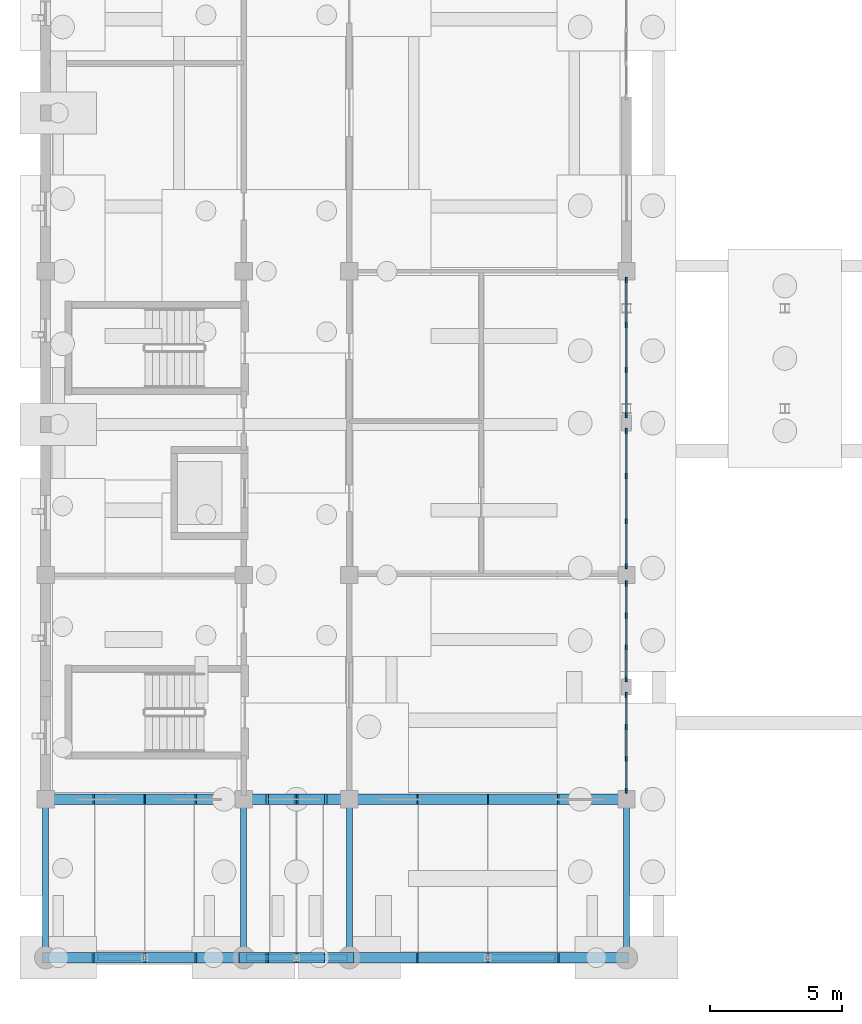
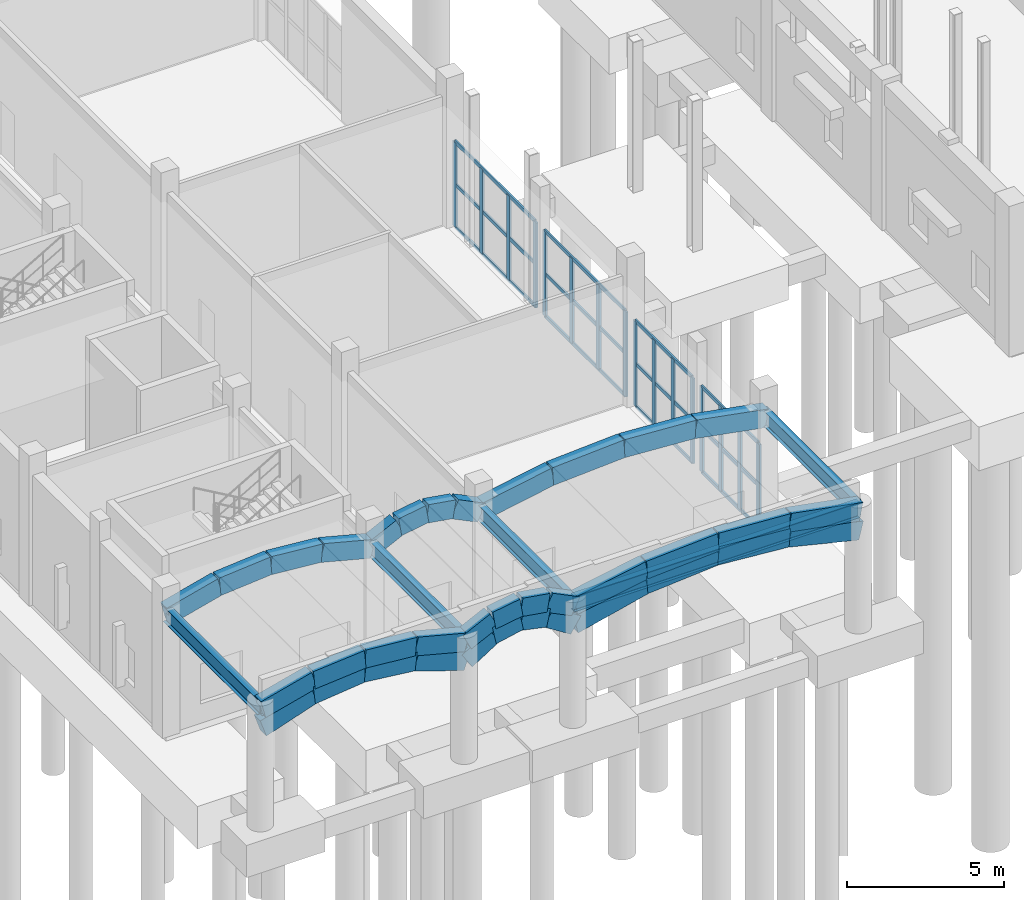
# One storey, part 14 of 60: 64 members, 7 beams, 4 elements without a shape of their own.
"""IFC4 building model written with IfcOpenShell, lengths in metres."""

from ifc_helpers import new_model, si_unit, direction, frame, origin, origin_2d, place, context, subcontext, project, spatial, rectangle, i_section, extrude, material, layer, layer_set, material_profile, profile_set, type_object, element, aggregate, save


model = new_model("IFC4")

# Units and contexts
model_context = context("Model", 3, precision=1e-05, world=origin(), true_north=direction((0.0, 1.0)))
body_context = subcontext(model_context, "Body", "Model", "MODEL_VIEW")
ifc_project = project(units=[si_unit("LENGTHUNIT", "METRE"), si_unit("AREAUNIT", "SQUARE_METRE"), si_unit("VOLUMEUNIT", "CUBIC_METRE"), si_unit("PLANEANGLEUNIT", "RADIAN"), si_unit("MASSUNIT", "GRAM", prefix="KILO")], contexts=[model_context])

# Site, building, storey
site_placement = place(None, origin())
site = spatial("IfcSite", under=ifc_project, at=site_placement, CompositionType="ELEMENT")
building_placement = place(site_placement, origin())
building = spatial("IfcBuilding", under=site, at=building_placement, Name="Trellovar Central Fire Station", CompositionType="ELEMENT")
storey_placement = place(building_placement, origin())
storey = spatial("IfcBuildingStorey", under=building, at=storey_placement, Name="L01", CompositionType="ELEMENT", Elevation=0.0)

# Beams
ifc_material_1 = material(Name="Steel ASTM A992 Grade 50", Category="steel")
ifc_material_profile_1 = material_profile(ifc_material_1, i_section(OverallWidth=0.22900390625, OverallDepth=0.612060546875, WebThickness=0.011962890625, FlangeThickness=0.01953125, FilletRadius=0.01513671875, at=origin_2d()), Name="W24X84")
ifc_profile_set_1 = profile_set([ifc_material_profile_1], Name="Steel ASTM A992 Grade 50")
beam_type_1 = type_object("IfcBeamType", Name="BM-SW5", PredefinedType="BEAM", material=ifc_profile_set_1)
beam_1_placement = place(storey_placement, frame((1.0, 3.0, 4.593994140625), z_axis=(1.0, 0.0, 0.0), x_axis=(0.0, 1.0, 0.0)))
element("IfcBeam", 1, at=beam_1_placement, inside=storey, type_object=beam_type_1, Name="West boulevard arcade edge girder 1", PredefinedType="BEAM", context=body_context, shape_type="SweptSolid", body=[
    extrude(i_section(OverallWidth=0.22900390625, OverallDepth=0.612060546875, WebThickness=0.011962890625, FlangeThickness=0.01953125, FilletRadius=0.01513671875, at=origin_2d()), origin(), (0.0, 0.0, 1.0), 7.5),
])
beam_2_placement = place(storey_placement, frame((8.5, 3.0, 4.593994140625), z_axis=(1.0, 0.0, 0.0), x_axis=(0.0, 1.0, 0.0)))
element("IfcBeam", 2, at=beam_2_placement, inside=storey, type_object=beam_type_1, Name="West boulevard arcade edge girder 2", PredefinedType="BEAM", context=body_context, shape_type="SweptSolid", body=[
    extrude(i_section(OverallWidth=0.22900390625, OverallDepth=0.612060546875, WebThickness=0.011962890625, FlangeThickness=0.01953125, FilletRadius=0.01513671875, at=origin_2d()), origin(), (0.0, 0.0, 1.0), 4.0),
])
beam_3_placement = place(storey_placement, frame((12.5, 3.0, 4.593994140625), z_axis=(1.0, 0.0, 0.0), x_axis=(0.0, 1.0, 0.0)))
element("IfcBeam", 3, at=beam_3_placement, inside=storey, type_object=beam_type_1, Name="West boulevard arcade edge girder 3", PredefinedType="BEAM", context=body_context, shape_type="SweptSolid", body=[
    extrude(i_section(OverallWidth=0.22900390625, OverallDepth=0.612060546875, WebThickness=0.011962890625, FlangeThickness=0.01953125, FilletRadius=0.01513671875, at=origin_2d()), origin(), (0.0, 0.0, 1.0), 10.5),
])
ifc_material_2 = material(Name="Steel ASTM A992 Grade 50", Category="steel")
ifc_material_profile_2 = material_profile(ifc_material_2, i_section(OverallWidth=0.227783203125, OverallDepth=0.60205078125, WebThickness=0.010498046875, FlangeThickness=0.014892578125, FilletRadius=0.01513671875, at=origin_2d()), Name="W24X68")
ifc_profile_set_2 = profile_set([ifc_material_profile_2], Name="Steel ASTM A992 Grade 50")
beam_type_2 = type_object("IfcBeamType", Name="BM-SW6", PredefinedType="BEAM", material=ifc_profile_set_2)
for number, where, z_axis, x_axis, name in (
    (4, (1.0, 3.0, 4.59912109375), (0.0, 1.0, 0.0), (-1.0, 0.0, 0.0), "West arcade transverse tie X=1.0"),
    (5, (8.5, 3.0, 4.59912109375), (0.0, 1.0, 0.0), (-1.0, 0.0, 0.0), "West arcade transverse tie X=8.5"),
    (6, (12.5, 3.0, 4.59912109375), (0.0, 1.0, 0.0), (-1.0, 0.0, 0.0), "West arcade transverse tie X=12.5"),
    (7, (23.0, 3.0, 4.59912109375), (0.0, 1.0, 0.0), (-1.0, 0.0, 0.0), "West arcade transverse tie X=23.0"),
):
    element("IfcBeam", number, at=place(storey_placement, frame(where, z_axis=z_axis, x_axis=x_axis)), inside=storey, type_object=beam_type_2, Name=name, PredefinedType="BEAM", context=body_context, shape_type="SweptSolid", body=[
        extrude(i_section(OverallWidth=0.227783203125, OverallDepth=0.60205078125, WebThickness=0.010498046875, FlangeThickness=0.014892578125, FilletRadius=0.01513671875, at=origin_2d()), origin(), (0.0, 0.0, 1.0), 6.0),
    ])

# Curtain wall, members
ifc_material_3 = material(Name="Thermally broken bronze anodized aluminum", Category="aluminium")
ifc_layer = layer(ifc_material_3, 0.159912109375)
ifc_layer_set = layer_set([ifc_layer], Name="Thermally broken bronze anodized aluminum")
curtain_wall_type = type_object("IfcCurtainWallType", Name="CW-03", PredefinedType="NOTDEFINED", material=ifc_layer_set)
curtain_wall_1_placement = place(storey_placement, origin())
curtain_wall_1 = element("IfcCurtainWall", 8, at=curtain_wall_1_placement, inside=storey, type_object=curtain_wall_type, Name="L01 curtain wall CW-3", PredefinedType="NOTDEFINED")
ifc_material_4 = material(Name="Thermally broken bronze anodized aluminum", Category="aluminium")
ifc_material_profile_3 = material_profile(ifc_material_4, rectangle(XDim=0.074951171875, YDim=0.199951171875, at=origin_2d()), Name="ALU75X200")
ifc_profile_set_3 = profile_set([ifc_material_profile_3], Name="Thermally broken bronze anodized aluminum")
member_type_1 = type_object("IfcMemberType", Name="CWM-1", PredefinedType="MULLION", material=ifc_profile_set_3)
member_1_placement = place(storey_placement, frame((23.0, 9.324951171875, 0.0), z_axis=(0.0, 0.0, 1.0), x_axis=(1.0, 0.0, 0.0)))
member_1 = element("IfcMember", 9, at=member_1_placement, type_object=member_type_1, Name="CW3-L01-0027 mullion 1", PredefinedType="MULLION", context=body_context, shape_type="SweptSolid", body=[
    extrude(rectangle(XDim=0.074951171875, YDim=0.199951171875, at=origin_2d()), origin(), (0.0, 0.0, 1.0), 3.300048828125),
])
member_2_placement = place(storey_placement, frame((23.0, 10.533203125, 0.0), z_axis=(0.0, 0.0, 1.0), x_axis=(1.0, 0.0, 0.0)))
member_2 = element("IfcMember", 10, at=member_2_placement, type_object=member_type_1, Name="CW3-L01-0027 mullion 2", PredefinedType="MULLION", context=body_context, shape_type="SweptSolid", body=[
    extrude(rectangle(XDim=0.074951171875, YDim=0.199951171875, at=origin_2d()), origin(), (0.0, 0.0, 1.0), 3.300048828125),
])
member_3_placement = place(storey_placement, frame((23.0, 11.74169921875, 0.0), z_axis=(0.0, 0.0, 1.0), x_axis=(1.0, 0.0, 0.0)))
member_3 = element("IfcMember", 11, at=member_3_placement, type_object=member_type_1, Name="CW3-L01-0027 mullion 3", PredefinedType="MULLION", context=body_context, shape_type="SweptSolid", body=[
    extrude(rectangle(XDim=0.074951171875, YDim=0.199951171875, at=origin_2d()), origin(), (0.0, 0.0, 1.0), 3.300048828125),
])
member_4_placement = place(storey_placement, frame((23.0, 12.949951171875, 0.0), z_axis=(0.0, 0.0, 1.0), x_axis=(1.0, 0.0, 0.0)))
member_4 = element("IfcMember", 12, at=member_4_placement, type_object=member_type_1, Name="CW3-L01-0027 mullion 4", PredefinedType="MULLION", context=body_context, shape_type="SweptSolid", body=[
    extrude(rectangle(XDim=0.074951171875, YDim=0.199951171875, at=origin_2d()), origin(), (0.0, 0.0, 1.0), 3.300048828125),
])

curtain_wall_2_placement = place(storey_placement, origin())
curtain_wall_2 = element("IfcCurtainWall", 13, at=curtain_wall_2_placement, inside=storey, type_object=curtain_wall_type, Name="L01 curtain wall CW-3", PredefinedType="NOTDEFINED")
member_5_placement = place(storey_placement, frame((23.0, 13.550048828125, 0.0), z_axis=(0.0, 0.0, 1.0), x_axis=(1.0, 0.0, 0.0)))
member_5 = element("IfcMember", 14, at=member_5_placement, type_object=member_type_1, Name="CW3-L01-0028 mullion 1", PredefinedType="MULLION", context=body_context, shape_type="SweptSolid", body=[
    extrude(rectangle(XDim=0.074951171875, YDim=0.199951171875, at=origin_2d()), origin(), (0.0, 0.0, 1.0), 3.300048828125),
])
member_6_placement = place(storey_placement, frame((23.0, 14.75830078125, 0.0), z_axis=(0.0, 0.0, 1.0), x_axis=(1.0, 0.0, 0.0)))
member_6 = element("IfcMember", 15, at=member_6_placement, type_object=member_type_1, Name="CW3-L01-0028 mullion 2", PredefinedType="MULLION", context=body_context, shape_type="SweptSolid", body=[
    extrude(rectangle(XDim=0.074951171875, YDim=0.199951171875, at=origin_2d()), origin(), (0.0, 0.0, 1.0), 3.300048828125),
])
member_7_placement = place(storey_placement, frame((23.0, 15.966796875, 0.0), z_axis=(0.0, 0.0, 1.0), x_axis=(1.0, 0.0, 0.0)))
member_7 = element("IfcMember", 16, at=member_7_placement, type_object=member_type_1, Name="CW3-L01-0028 mullion 3", PredefinedType="MULLION", context=body_context, shape_type="SweptSolid", body=[
    extrude(rectangle(XDim=0.074951171875, YDim=0.199951171875, at=origin_2d()), origin(), (0.0, 0.0, 1.0), 3.300048828125),
])
member_8_placement = place(storey_placement, frame((23.0, 17.175048828125, 0.0), z_axis=(0.0, 0.0, 1.0), x_axis=(1.0, 0.0, 0.0)))
member_8 = element("IfcMember", 17, at=member_8_placement, type_object=member_type_1, Name="CW3-L01-0028 mullion 4", PredefinedType="MULLION", context=body_context, shape_type="SweptSolid", body=[
    extrude(rectangle(XDim=0.074951171875, YDim=0.199951171875, at=origin_2d()), origin(), (0.0, 0.0, 1.0), 3.300048828125),
])

curtain_wall_3_placement = place(storey_placement, origin())
curtain_wall_3 = element("IfcCurtainWall", 18, at=curtain_wall_3_placement, inside=storey, type_object=curtain_wall_type, Name="L01 curtain wall CW-3", PredefinedType="NOTDEFINED")
member_9_placement = place(storey_placement, frame((23.0, 17.824951171875, 0.0), z_axis=(0.0, 0.0, 1.0), x_axis=(1.0, 0.0, 0.0)))
member_9 = element("IfcMember", 19, at=member_9_placement, type_object=member_type_1, Name="CW3-L01-0029 mullion 1", PredefinedType="MULLION", context=body_context, shape_type="SweptSolid", body=[
    extrude(rectangle(XDim=0.074951171875, YDim=0.199951171875, at=origin_2d()), origin(), (0.0, 0.0, 1.0), 3.300048828125),
])
member_10_placement = place(storey_placement, frame((23.0, 19.533203125, 0.0), z_axis=(0.0, 0.0, 1.0), x_axis=(1.0, 0.0, 0.0)))
member_10 = element("IfcMember", 20, at=member_10_placement, type_object=member_type_1, Name="CW3-L01-0029 mullion 2", PredefinedType="MULLION", context=body_context, shape_type="SweptSolid", body=[
    extrude(rectangle(XDim=0.074951171875, YDim=0.199951171875, at=origin_2d()), origin(), (0.0, 0.0, 1.0), 3.300048828125),
])
member_11_placement = place(storey_placement, frame((23.0, 21.24169921875, 0.0), z_axis=(0.0, 0.0, 1.0), x_axis=(1.0, 0.0, 0.0)))
member_11 = element("IfcMember", 21, at=member_11_placement, type_object=member_type_1, Name="CW3-L01-0029 mullion 3", PredefinedType="MULLION", context=body_context, shape_type="SweptSolid", body=[
    extrude(rectangle(XDim=0.074951171875, YDim=0.199951171875, at=origin_2d()), origin(), (0.0, 0.0, 1.0), 3.300048828125),
])
member_12_placement = place(storey_placement, frame((23.0, 22.949951171875, 0.0), z_axis=(0.0, 0.0, 1.0), x_axis=(1.0, 0.0, 0.0)))
member_12 = element("IfcMember", 22, at=member_12_placement, type_object=member_type_1, Name="CW3-L01-0029 mullion 4", PredefinedType="MULLION", context=body_context, shape_type="SweptSolid", body=[
    extrude(rectangle(XDim=0.074951171875, YDim=0.199951171875, at=origin_2d()), origin(), (0.0, 0.0, 1.0), 3.300048828125),
])

curtain_wall_4_placement = place(storey_placement, origin())
curtain_wall_4 = element("IfcCurtainWall", 23, at=curtain_wall_4_placement, inside=storey, type_object=curtain_wall_type, Name="L01 curtain wall CW-3", PredefinedType="NOTDEFINED")
member_13_placement = place(storey_placement, frame((23.0, 23.550048828125, 0.0), z_axis=(0.0, 0.0, 1.0), x_axis=(1.0, 0.0, 0.0)))
member_13 = element("IfcMember", 24, at=member_13_placement, type_object=member_type_1, Name="CW3-L01-0030 mullion 1", PredefinedType="MULLION", context=body_context, shape_type="SweptSolid", body=[
    extrude(rectangle(XDim=0.074951171875, YDim=0.199951171875, at=origin_2d()), origin(), (0.0, 0.0, 1.0), 3.300048828125),
])
member_14_placement = place(storey_placement, frame((23.0, 25.25830078125, 0.0), z_axis=(0.0, 0.0, 1.0), x_axis=(1.0, 0.0, 0.0)))
member_14 = element("IfcMember", 25, at=member_14_placement, type_object=member_type_1, Name="CW3-L01-0030 mullion 2", PredefinedType="MULLION", context=body_context, shape_type="SweptSolid", body=[
    extrude(rectangle(XDim=0.074951171875, YDim=0.199951171875, at=origin_2d()), origin(), (0.0, 0.0, 1.0), 3.300048828125),
])
member_15_placement = place(storey_placement, frame((23.0, 26.966796875, 0.0), z_axis=(0.0, 0.0, 1.0), x_axis=(1.0, 0.0, 0.0)))
member_15 = element("IfcMember", 26, at=member_15_placement, type_object=member_type_1, Name="CW3-L01-0030 mullion 3", PredefinedType="MULLION", context=body_context, shape_type="SweptSolid", body=[
    extrude(rectangle(XDim=0.074951171875, YDim=0.199951171875, at=origin_2d()), origin(), (0.0, 0.0, 1.0), 3.300048828125),
])
member_16_placement = place(storey_placement, frame((23.0, 28.675048828125, 0.0), z_axis=(0.0, 0.0, 1.0), x_axis=(1.0, 0.0, 0.0)))
member_16 = element("IfcMember", 27, at=member_16_placement, type_object=member_type_1, Name="CW3-L01-0030 mullion 4", PredefinedType="MULLION", context=body_context, shape_type="SweptSolid", body=[
    extrude(rectangle(XDim=0.074951171875, YDim=0.199951171875, at=origin_2d()), origin(), (0.0, 0.0, 1.0), 3.300048828125),
])

# Member
ifc_material_5 = material(Name="Thermally broken bronze anodized aluminum", Category="aluminium")
ifc_material_profile_4 = material_profile(ifc_material_5, rectangle(XDim=0.06005859375, YDim=0.139892578125, at=origin_2d()), Name="ALU60X140")
ifc_profile_set_4 = profile_set([ifc_material_profile_4], Name="Thermally broken bronze anodized aluminum")
member_type_2 = type_object("IfcMemberType", Name="CWT-1", PredefinedType="USERDEFINED", material=ifc_profile_set_4)
member_17_placement = place(storey_placement, frame((23.0, 9.324951171875, 0.0), z_axis=(0.0, 1.0, 0.0), x_axis=(-1.0, 0.0, 0.0)))
member_17 = element("IfcMember", 28, at=member_17_placement, type_object=member_type_2, Name="CW3-L01-0027 transom 1", ObjectType="TRANSOM", PredefinedType="USERDEFINED", context=body_context, shape_type="SweptSolid", body=[
    extrude(rectangle(XDim=0.06005859375, YDim=0.139892578125, at=origin_2d()), origin(), (0.0, 0.0, 1.0), 3.625),
])

member_18_placement = place(storey_placement, frame((23.0, 9.324951171875, 1.64990234375), z_axis=(0.0, 1.0, 0.0), x_axis=(-1.0, 0.0, 0.0)))
member_18 = element("IfcMember", 29, at=member_18_placement, type_object=member_type_2, Name="CW3-L01-0027 transom 2", ObjectType="TRANSOM", PredefinedType="USERDEFINED", context=body_context, shape_type="SweptSolid", body=[
    extrude(rectangle(XDim=0.06005859375, YDim=0.139892578125, at=origin_2d()), origin(), (0.0, 0.0, 1.0), 3.625),
])

member_19_placement = place(storey_placement, frame((23.0, 9.324951171875, 3.300048828125), z_axis=(0.0, 1.0, 0.0), x_axis=(-1.0, 0.0, 0.0)))
member_19 = element("IfcMember", 30, at=member_19_placement, type_object=member_type_2, Name="CW3-L01-0027 transom 3", ObjectType="TRANSOM", PredefinedType="USERDEFINED", context=body_context, shape_type="SweptSolid", body=[
    extrude(rectangle(XDim=0.06005859375, YDim=0.139892578125, at=origin_2d()), origin(), (0.0, 0.0, 1.0), 3.625),
])

aggregate(curtain_wall_1, [member_1, member_2, member_3, member_4, member_17, member_18, member_19])

member_20_placement = place(storey_placement, frame((23.0, 13.550048828125, 0.0), z_axis=(0.0, 1.0, 0.0), x_axis=(-1.0, 0.0, 0.0)))
member_20 = element("IfcMember", 31, at=member_20_placement, type_object=member_type_2, Name="CW3-L01-0028 transom 1", ObjectType="TRANSOM", PredefinedType="USERDEFINED", context=body_context, shape_type="SweptSolid", body=[
    extrude(rectangle(XDim=0.06005859375, YDim=0.139892578125, at=origin_2d()), origin(), (0.0, 0.0, 1.0), 3.625),
])

member_21_placement = place(storey_placement, frame((23.0, 13.550048828125, 1.64990234375), z_axis=(0.0, 1.0, 0.0), x_axis=(-1.0, 0.0, 0.0)))
member_21 = element("IfcMember", 32, at=member_21_placement, type_object=member_type_2, Name="CW3-L01-0028 transom 2", ObjectType="TRANSOM", PredefinedType="USERDEFINED", context=body_context, shape_type="SweptSolid", body=[
    extrude(rectangle(XDim=0.06005859375, YDim=0.139892578125, at=origin_2d()), origin(), (0.0, 0.0, 1.0), 3.625),
])

member_22_placement = place(storey_placement, frame((23.0, 13.550048828125, 3.300048828125), z_axis=(0.0, 1.0, 0.0), x_axis=(-1.0, 0.0, 0.0)))
member_22 = element("IfcMember", 33, at=member_22_placement, type_object=member_type_2, Name="CW3-L01-0028 transom 3", ObjectType="TRANSOM", PredefinedType="USERDEFINED", context=body_context, shape_type="SweptSolid", body=[
    extrude(rectangle(XDim=0.06005859375, YDim=0.139892578125, at=origin_2d()), origin(), (0.0, 0.0, 1.0), 3.625),
])

aggregate(curtain_wall_2, [member_5, member_6, member_7, member_8, member_20, member_21, member_22])

member_23_placement = place(storey_placement, frame((23.0, 17.824951171875, 0.0), z_axis=(0.0, 1.0, 0.0), x_axis=(-1.0, 0.0, 0.0)))
member_23 = element("IfcMember", 34, at=member_23_placement, type_object=member_type_2, Name="CW3-L01-0029 transom 1", ObjectType="TRANSOM", PredefinedType="USERDEFINED", context=body_context, shape_type="SweptSolid", body=[
    extrude(rectangle(XDim=0.06005859375, YDim=0.139892578125, at=origin_2d()), origin(), (0.0, 0.0, 1.0), 5.125),
])

member_24_placement = place(storey_placement, frame((23.0, 17.824951171875, 1.64990234375), z_axis=(0.0, 1.0, 0.0), x_axis=(-1.0, 0.0, 0.0)))
member_24 = element("IfcMember", 35, at=member_24_placement, type_object=member_type_2, Name="CW3-L01-0029 transom 2", ObjectType="TRANSOM", PredefinedType="USERDEFINED", context=body_context, shape_type="SweptSolid", body=[
    extrude(rectangle(XDim=0.06005859375, YDim=0.139892578125, at=origin_2d()), origin(), (0.0, 0.0, 1.0), 5.125),
])

member_25_placement = place(storey_placement, frame((23.0, 17.824951171875, 3.300048828125), z_axis=(0.0, 1.0, 0.0), x_axis=(-1.0, 0.0, 0.0)))
member_25 = element("IfcMember", 36, at=member_25_placement, type_object=member_type_2, Name="CW3-L01-0029 transom 3", ObjectType="TRANSOM", PredefinedType="USERDEFINED", context=body_context, shape_type="SweptSolid", body=[
    extrude(rectangle(XDim=0.06005859375, YDim=0.139892578125, at=origin_2d()), origin(), (0.0, 0.0, 1.0), 5.125),
])

aggregate(curtain_wall_3, [member_9, member_10, member_11, member_12, member_23, member_24, member_25])

member_26_placement = place(storey_placement, frame((23.0, 23.550048828125, 0.0), z_axis=(0.0, 1.0, 0.0), x_axis=(-1.0, 0.0, 0.0)))
member_26 = element("IfcMember", 37, at=member_26_placement, type_object=member_type_2, Name="CW3-L01-0030 transom 1", ObjectType="TRANSOM", PredefinedType="USERDEFINED", context=body_context, shape_type="SweptSolid", body=[
    extrude(rectangle(XDim=0.06005859375, YDim=0.139892578125, at=origin_2d()), origin(), (0.0, 0.0, 1.0), 5.125),
])

member_27_placement = place(storey_placement, frame((23.0, 23.550048828125, 1.64990234375), z_axis=(0.0, 1.0, 0.0), x_axis=(-1.0, 0.0, 0.0)))
member_27 = element("IfcMember", 38, at=member_27_placement, type_object=member_type_2, Name="CW3-L01-0030 transom 2", ObjectType="TRANSOM", PredefinedType="USERDEFINED", context=body_context, shape_type="SweptSolid", body=[
    extrude(rectangle(XDim=0.06005859375, YDim=0.139892578125, at=origin_2d()), origin(), (0.0, 0.0, 1.0), 5.125),
])

member_28_placement = place(storey_placement, frame((23.0, 23.550048828125, 3.300048828125), z_axis=(0.0, 1.0, 0.0), x_axis=(-1.0, 0.0, 0.0)))
member_28 = element("IfcMember", 39, at=member_28_placement, type_object=member_type_2, Name="CW3-L01-0030 transom 3", ObjectType="TRANSOM", PredefinedType="USERDEFINED", context=body_context, shape_type="SweptSolid", body=[
    extrude(rectangle(XDim=0.06005859375, YDim=0.139892578125, at=origin_2d()), origin(), (0.0, 0.0, 1.0), 5.125),
])

aggregate(curtain_wall_4, [member_13, member_14, member_15, member_16, member_26, member_27, member_28])

# Members
ifc_material_6 = material(Name="Concrete C40/50", Category="concrete")
ifc_material_profile_5 = material_profile(ifc_material_6, rectangle(XDim=0.39990234375, YDim=0.699951171875, at=origin_2d()), Name="RC400X700")
ifc_profile_set_5 = profile_set([ifc_material_profile_5], Name="Concrete C40/50")
member_type_3 = type_object("IfcMemberType", Name="MEM-LR1", PredefinedType="CHORD", material=ifc_profile_set_5)
member_29_placement = place(storey_placement, frame((1.0, 3.0, 3.85009765625), z_axis=(0.946780258859, 0.0, 0.321880632276), x_axis=(0.0, 1.0, 0.0)))
element("IfcMember", 40, at=member_29_placement, inside=storey, type_object=member_type_3, Name="West boulevard parabolic arcade arch 1 seg 1", PredefinedType="CHORD", context=body_context, shape_type="SweptSolid", body=[
    extrude(rectangle(XDim=0.39990234375, YDim=0.699951171875, at=origin_2d()), origin(), (0.0, 0.0, 1.0), 1.98046875),
])
for number, where, z_axis, x_axis, name in (
    (41, (2.875, 3.0, 4.487548828125), (0.993644779902, 0.0, 0.112561322723), (0.0, 1.0, 0.0), "West boulevard parabolic arcade arch 1 seg 2"),
    (42, (4.75, 3.0, 4.699951171875), (0.993644779902, 0.0, -0.112561322723), (0.0, 1.0, 0.0), "West boulevard parabolic arcade arch 1 seg 3"),
):
    element("IfcMember", number, at=place(storey_placement, frame(where, z_axis=z_axis, x_axis=x_axis)), inside=storey, type_object=member_type_3, Name=name, PredefinedType="CHORD", context=body_context, shape_type="SweptSolid", body=[
        extrude(rectangle(XDim=0.39990234375, YDim=0.699951171875, at=origin_2d()), origin(), (0.0, 0.0, 1.0), 1.886962890625),
    ])
member_30_placement = place(storey_placement, frame((6.625, 3.0, 4.487548828125), z_axis=(0.946780258859, 0.0, -0.321880632276), x_axis=(0.0, 1.0, 0.0)))
element("IfcMember", 43, at=member_30_placement, inside=storey, type_object=member_type_3, Name="West boulevard parabolic arcade arch 1 seg 4", PredefinedType="CHORD", context=body_context, shape_type="SweptSolid", body=[
    extrude(rectangle(XDim=0.39990234375, YDim=0.699951171875, at=origin_2d()), origin(), (0.0, 0.0, 1.0), 1.98046875),
])
member_31_placement = place(storey_placement, frame((8.5, 3.0, 3.85009765625), z_axis=(0.843245861074, 0.0, 0.53752806232), x_axis=(0.0, 1.0, 0.0)))
element("IfcMember", 44, at=member_31_placement, inside=storey, type_object=member_type_3, Name="West boulevard parabolic arcade arch 2 seg 1", PredefinedType="CHORD", context=body_context, shape_type="SweptSolid", body=[
    extrude(rectangle(XDim=0.39990234375, YDim=0.699951171875, at=origin_2d()), origin(), (0.0, 0.0, 1.0), 1.185791015625),
])
for number, where, z_axis, x_axis, name in (
    (45, (9.5, 3.0, 4.487548828125), (0.978178268729, 0.0, 0.207767356883), (0.0, 1.0, 0.0), "West boulevard parabolic arcade arch 2 seg 2"),
    (46, (10.5, 3.0, 4.699951171875), (0.978178268729, 0.0, -0.207767356883), (0.0, 1.0, 0.0), "West boulevard parabolic arcade arch 2 seg 3"),
):
    element("IfcMember", number, at=place(storey_placement, frame(where, z_axis=z_axis, x_axis=x_axis)), inside=storey, type_object=member_type_3, Name=name, PredefinedType="CHORD", context=body_context, shape_type="SweptSolid", body=[
        extrude(rectangle(XDim=0.39990234375, YDim=0.699951171875, at=origin_2d()), origin(), (0.0, 0.0, 1.0), 1.022216796875),
    ])
member_32_placement = place(storey_placement, frame((11.5, 3.0, 4.487548828125), z_axis=(0.843245861074, 0.0, -0.53752806232), x_axis=(0.0, 1.0, 0.0)))
element("IfcMember", 47, at=member_32_placement, inside=storey, type_object=member_type_3, Name="West boulevard parabolic arcade arch 2 seg 4", PredefinedType="CHORD", context=body_context, shape_type="SweptSolid", body=[
    extrude(rectangle(XDim=0.39990234375, YDim=0.699951171875, at=origin_2d()), origin(), (0.0, 0.0, 1.0), 1.185791015625),
])
member_33_placement = place(storey_placement, frame((12.5, 3.0, 3.85009765625), z_axis=(0.971757849153, 0.0, 0.235980258941), x_axis=(0.0, 1.0, 0.0)))
element("IfcMember", 48, at=member_33_placement, inside=storey, type_object=member_type_3, Name="West boulevard parabolic arcade arch 3 seg 1", PredefinedType="CHORD", context=body_context, shape_type="SweptSolid", body=[
    extrude(rectangle(XDim=0.39990234375, YDim=0.699951171875, at=origin_2d()), origin(), (0.0, 0.0, 1.0), 2.701171875),
])
for number, where, z_axis, x_axis, name in (
    (49, (15.125, 3.0, 4.487548828125), (0.996742354742, 0.0, 0.080651585624), (0.0, 1.0, 0.0), "West boulevard parabolic arcade arch 3 seg 2"),
    (50, (17.75, 3.0, 4.699951171875), (0.996742354742, 0.0, -0.080651585624), (0.0, 1.0, 0.0), "West boulevard parabolic arcade arch 3 seg 3"),
):
    element("IfcMember", number, at=place(storey_placement, frame(where, z_axis=z_axis, x_axis=x_axis)), inside=storey, type_object=member_type_3, Name=name, PredefinedType="CHORD", context=body_context, shape_type="SweptSolid", body=[
        extrude(rectangle(XDim=0.39990234375, YDim=0.699951171875, at=origin_2d()), origin(), (0.0, 0.0, 1.0), 2.633544921875),
    ])
member_34_placement = place(storey_placement, frame((20.375, 3.0, 4.487548828125), z_axis=(0.971757849153, 0.0, -0.235980258941), x_axis=(0.0, 1.0, 0.0)))
element("IfcMember", 51, at=member_34_placement, inside=storey, type_object=member_type_3, Name="West boulevard parabolic arcade arch 3 seg 4", PredefinedType="CHORD", context=body_context, shape_type="SweptSolid", body=[
    extrude(rectangle(XDim=0.39990234375, YDim=0.699951171875, at=origin_2d()), origin(), (0.0, 0.0, 1.0), 2.701171875),
])
member_35_placement = place(storey_placement, frame((1.0, 3.0, 4.580078125), z_axis=(0.967847054939, 0.0, 0.251539416883), x_axis=(0.0, 1.0, 0.0)))
element("IfcMember", 52, at=member_35_placement, inside=storey, type_object=member_type_3, Name="V7W Catalan vault rib 1 chord 1", PredefinedType="CHORD", context=body_context, shape_type="SweptSolid", body=[
    extrude(rectangle(XDim=0.39990234375, YDim=0.699951171875, at=origin_2d()), origin(), (0.0, 0.0, 1.0), 1.937255859375),
])
for number, where, z_axis, x_axis, name in (
    (53, (2.875, 3.0, 5.0673828125), (0.996261004366, 0.0, 0.086394508972), (0.0, 1.0, 0.0), "V7W Catalan vault rib 1 chord 2"),
    (54, (4.75, 3.0, 5.22998046875), (0.996261004366, 0.0, -0.086394508972), (0.0, 1.0, 0.0), "V7W Catalan vault rib 1 chord 3"),
):
    element("IfcMember", number, at=place(storey_placement, frame(where, z_axis=z_axis, x_axis=x_axis)), inside=storey, type_object=member_type_3, Name=name, PredefinedType="CHORD", context=body_context, shape_type="SweptSolid", body=[
        extrude(rectangle(XDim=0.39990234375, YDim=0.699951171875, at=origin_2d()), origin(), (0.0, 0.0, 1.0), 1.882080078125),
    ])
for number, where, z_axis, x_axis, name in (
    (55, (6.625, 3.0, 5.0673828125), (0.967847054939, 0.0, -0.251539416883), (0.0, 1.0, 0.0), "V7W Catalan vault rib 1 chord 4"),
    (56, (1.0, 9.0, 4.580078125), (0.967847054939, 0.0, 0.251539416883), (0.0, 1.0, 0.0), "V7W Catalan vault rib 1 chord 1"),
):
    element("IfcMember", number, at=place(storey_placement, frame(where, z_axis=z_axis, x_axis=x_axis)), inside=storey, type_object=member_type_3, Name=name, PredefinedType="CHORD", context=body_context, shape_type="SweptSolid", body=[
        extrude(rectangle(XDim=0.39990234375, YDim=0.699951171875, at=origin_2d()), origin(), (0.0, 0.0, 1.0), 1.937255859375),
    ])
for number, where, z_axis, x_axis, name in (
    (57, (2.875, 9.0, 5.0673828125), (0.996261004366, 0.0, 0.086394508972), (0.0, 1.0, 0.0), "V7W Catalan vault rib 1 chord 2"),
    (58, (4.75, 9.0, 5.22998046875), (0.996261004366, 0.0, -0.086394508972), (0.0, 1.0, 0.0), "V7W Catalan vault rib 1 chord 3"),
):
    element("IfcMember", number, at=place(storey_placement, frame(where, z_axis=z_axis, x_axis=x_axis)), inside=storey, type_object=member_type_3, Name=name, PredefinedType="CHORD", context=body_context, shape_type="SweptSolid", body=[
        extrude(rectangle(XDim=0.39990234375, YDim=0.699951171875, at=origin_2d()), origin(), (0.0, 0.0, 1.0), 1.882080078125),
    ])
member_36_placement = place(storey_placement, frame((6.625, 9.0, 5.0673828125), z_axis=(0.967847054939, 0.0, -0.251539416883), x_axis=(0.0, 1.0, 0.0)))
element("IfcMember", 59, at=member_36_placement, inside=storey, type_object=member_type_3, Name="V7W Catalan vault rib 1 chord 4", PredefinedType="CHORD", context=body_context, shape_type="SweptSolid", body=[
    extrude(rectangle(XDim=0.39990234375, YDim=0.699951171875, at=origin_2d()), origin(), (0.0, 0.0, 1.0), 1.937255859375),
])
member_37_placement = place(storey_placement, frame((8.5, 3.0, 4.580078125), z_axis=(0.898945550596, 0.0, 0.438060380613), x_axis=(0.0, 1.0, 0.0)))
element("IfcMember", 60, at=member_37_placement, inside=storey, type_object=member_type_3, Name="V7W Catalan vault rib 2 chord 1", PredefinedType="CHORD", context=body_context, shape_type="SweptSolid", body=[
    extrude(rectangle(XDim=0.39990234375, YDim=0.699951171875, at=origin_2d()), origin(), (0.0, 0.0, 1.0), 1.1123046875),
])
for number, where, z_axis, x_axis, name in (
    (61, (9.5, 3.0, 5.0673828125), (0.987037469692, 0.0, 0.160489979203), (0.0, 1.0, 0.0), "V7W Catalan vault rib 2 chord 2"),
    (62, (10.5, 3.0, 5.22998046875), (0.987037469692, 0.0, -0.160489979203), (0.0, 1.0, 0.0), "V7W Catalan vault rib 2 chord 3"),
):
    element("IfcMember", number, at=place(storey_placement, frame(where, z_axis=z_axis, x_axis=x_axis)), inside=storey, type_object=member_type_3, Name=name, PredefinedType="CHORD", context=body_context, shape_type="SweptSolid", body=[
        extrude(rectangle(XDim=0.39990234375, YDim=0.699951171875, at=origin_2d()), origin(), (0.0, 0.0, 1.0), 1.01318359375),
    ])
for number, where, z_axis, x_axis, name in (
    (63, (11.5, 3.0, 5.0673828125), (0.898945550596, 0.0, -0.438060380613), (0.0, 1.0, 0.0), "V7W Catalan vault rib 2 chord 4"),
    (64, (8.5, 9.0, 4.580078125), (0.898945550596, 0.0, 0.438060380613), (0.0, 1.0, 0.0), "V7W Catalan vault rib 2 chord 1"),
):
    element("IfcMember", number, at=place(storey_placement, frame(where, z_axis=z_axis, x_axis=x_axis)), inside=storey, type_object=member_type_3, Name=name, PredefinedType="CHORD", context=body_context, shape_type="SweptSolid", body=[
        extrude(rectangle(XDim=0.39990234375, YDim=0.699951171875, at=origin_2d()), origin(), (0.0, 0.0, 1.0), 1.1123046875),
    ])
for number, where, z_axis, x_axis, name in (
    (65, (9.5, 9.0, 5.0673828125), (0.987037469692, 0.0, 0.160489979203), (0.0, 1.0, 0.0), "V7W Catalan vault rib 2 chord 2"),
    (66, (10.5, 9.0, 5.22998046875), (0.987037469692, 0.0, -0.160489979203), (0.0, 1.0, 0.0), "V7W Catalan vault rib 2 chord 3"),
):
    element("IfcMember", number, at=place(storey_placement, frame(where, z_axis=z_axis, x_axis=x_axis)), inside=storey, type_object=member_type_3, Name=name, PredefinedType="CHORD", context=body_context, shape_type="SweptSolid", body=[
        extrude(rectangle(XDim=0.39990234375, YDim=0.699951171875, at=origin_2d()), origin(), (0.0, 0.0, 1.0), 1.01318359375),
    ])
member_38_placement = place(storey_placement, frame((11.5, 9.0, 5.0673828125), z_axis=(0.898945550596, 0.0, -0.438060380613), x_axis=(0.0, 1.0, 0.0)))
element("IfcMember", 67, at=member_38_placement, inside=storey, type_object=member_type_3, Name="V7W Catalan vault rib 2 chord 4", PredefinedType="CHORD", context=body_context, shape_type="SweptSolid", body=[
    extrude(rectangle(XDim=0.39990234375, YDim=0.699951171875, at=origin_2d()), origin(), (0.0, 0.0, 1.0), 1.1123046875),
])
member_39_placement = place(storey_placement, frame((12.5, 3.0, 4.580078125), z_axis=(0.98320186649, 0.0, 0.182521477447), x_axis=(0.0, 1.0, 0.0)))
element("IfcMember", 68, at=member_39_placement, inside=storey, type_object=member_type_3, Name="V7W Catalan vault rib 3 chord 1", PredefinedType="CHORD", context=body_context, shape_type="SweptSolid", body=[
    extrude(rectangle(XDim=0.39990234375, YDim=0.699951171875, at=origin_2d()), origin(), (0.0, 0.0, 1.0), 2.669921875),
])
for number, where, z_axis, x_axis, name in (
    (69, (15.125, 3.0, 5.0673828125), (0.998087099346, 0.0, 0.061823475462), (0.0, 1.0, 0.0), "V7W Catalan vault rib 3 chord 2"),
    (70, (17.75, 3.0, 5.22998046875), (0.998087099346, 0.0, -0.061823475462), (0.0, 1.0, 0.0), "V7W Catalan vault rib 3 chord 3"),
):
    element("IfcMember", number, at=place(storey_placement, frame(where, z_axis=z_axis, x_axis=x_axis)), inside=storey, type_object=member_type_3, Name=name, PredefinedType="CHORD", context=body_context, shape_type="SweptSolid", body=[
        extrude(rectangle(XDim=0.39990234375, YDim=0.699951171875, at=origin_2d()), origin(), (0.0, 0.0, 1.0), 2.630126953125),
    ])
for number, where, z_axis, x_axis, name in (
    (71, (20.375, 3.0, 5.0673828125), (0.98320186649, 0.0, -0.182521477447), (0.0, 1.0, 0.0), "V7W Catalan vault rib 3 chord 4"),
    (72, (12.5, 9.0, 4.580078125), (0.98320186649, 0.0, 0.182521477447), (0.0, 1.0, 0.0), "V7W Catalan vault rib 3 chord 1"),
):
    element("IfcMember", number, at=place(storey_placement, frame(where, z_axis=z_axis, x_axis=x_axis)), inside=storey, type_object=member_type_3, Name=name, PredefinedType="CHORD", context=body_context, shape_type="SweptSolid", body=[
        extrude(rectangle(XDim=0.39990234375, YDim=0.699951171875, at=origin_2d()), origin(), (0.0, 0.0, 1.0), 2.669921875),
    ])
for number, where, z_axis, x_axis, name in (
    (73, (15.125, 9.0, 5.0673828125), (0.998087099346, 0.0, 0.061823475462), (0.0, 1.0, 0.0), "V7W Catalan vault rib 3 chord 2"),
    (74, (17.75, 9.0, 5.22998046875), (0.998087099346, 0.0, -0.061823475462), (0.0, 1.0, 0.0), "V7W Catalan vault rib 3 chord 3"),
):
    element("IfcMember", number, at=place(storey_placement, frame(where, z_axis=z_axis, x_axis=x_axis)), inside=storey, type_object=member_type_3, Name=name, PredefinedType="CHORD", context=body_context, shape_type="SweptSolid", body=[
        extrude(rectangle(XDim=0.39990234375, YDim=0.699951171875, at=origin_2d()), origin(), (0.0, 0.0, 1.0), 2.630126953125),
    ])
member_40_placement = place(storey_placement, frame((20.375, 9.0, 5.0673828125), z_axis=(0.98320186649, 0.0, -0.182521477447), x_axis=(0.0, 1.0, 0.0)))
element("IfcMember", 75, at=member_40_placement, inside=storey, type_object=member_type_3, Name="V7W Catalan vault rib 3 chord 4", PredefinedType="CHORD", context=body_context, shape_type="SweptSolid", body=[
    extrude(rectangle(XDim=0.39990234375, YDim=0.699951171875, at=origin_2d()), origin(), (0.0, 0.0, 1.0), 2.669921875),
])

save(model, "model.ifc")
